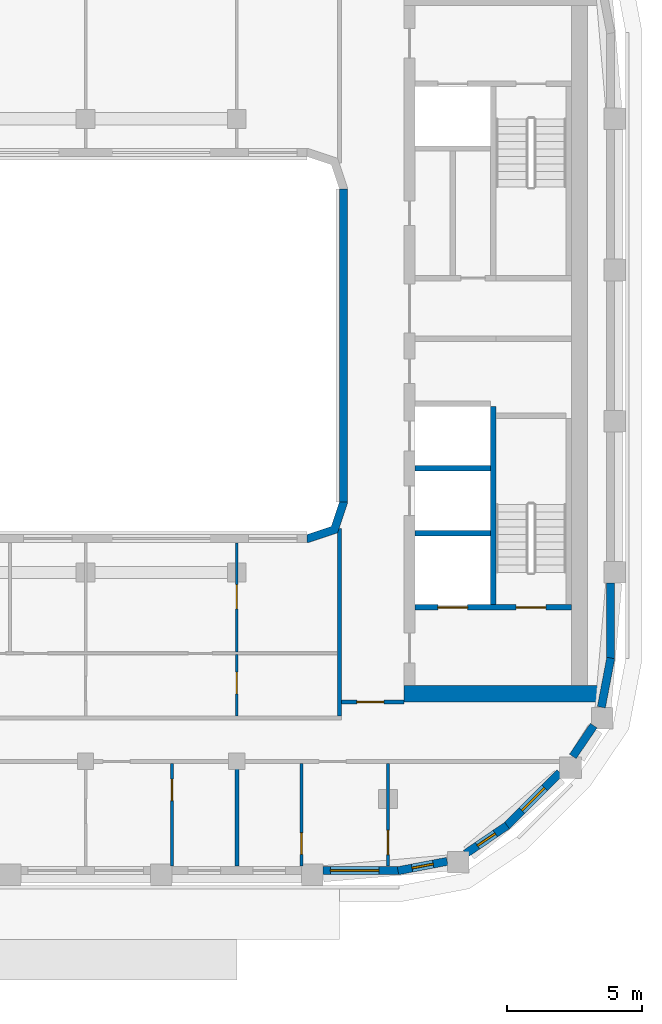
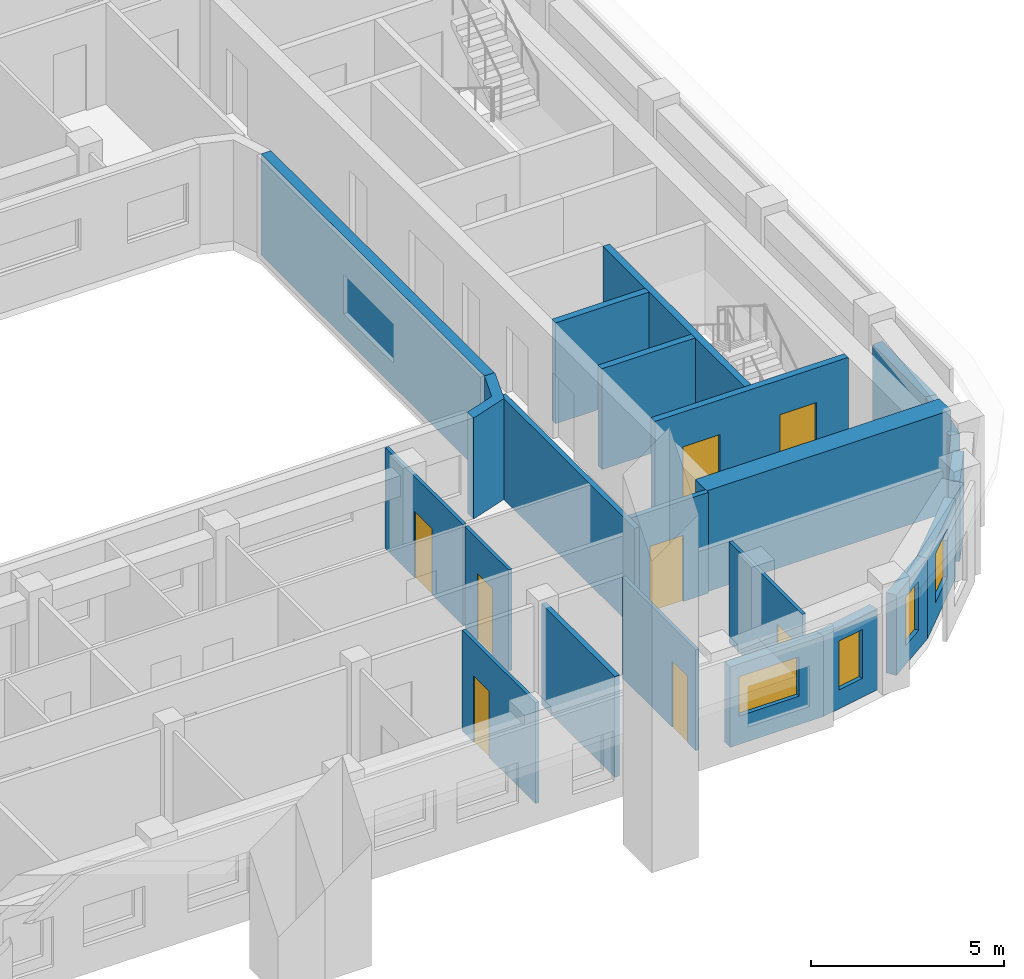
# One storey, part 5 of 18: 22 walls, 8 doors, 4 windows, 12 openings.
"""IFC4 building model written with IfcOpenShell, lengths in metres."""

from ifc_helpers import new_model, si_unit, direction, frame, frame_2d, origin, place, context, subcontext, project, spatial, polyline, rectangle, outline, extrude, material, layer, layer_set, type_object, element, fill, save


model = new_model("IFC4")

# Units and contexts
model_context = context("Model", 3, precision=1e-05, world=origin(), true_north=direction((0.0, 1.0)))
body_context = subcontext(model_context, "Body", "Model", "MODEL_VIEW")
ifc_project = project(units=[si_unit("LENGTHUNIT", "METRE"), si_unit("AREAUNIT", "SQUARE_METRE"), si_unit("VOLUMEUNIT", "CUBIC_METRE"), si_unit("PLANEANGLEUNIT", "RADIAN"), si_unit("MASSUNIT", "GRAM", prefix="KILO")], contexts=[model_context])

# Site, building, storey
site_placement = place(None, origin())
site = spatial("IfcSite", under=ifc_project, at=site_placement, CompositionType="ELEMENT")
building_placement = place(site_placement, origin())
building = spatial("IfcBuilding", under=site, at=building_placement, Name="Kiln Ring Residences", CompositionType="ELEMENT")
storey_placement = place(building_placement, frame((0.0, 0.0, 262.699951171875)))
storey = spatial("IfcBuildingStorey", under=building, at=storey_placement, Name="L68", CompositionType="ELEMENT", Elevation=262.699951171875)

# Walls
ifc_material_1 = material(Name="Gypsum shaft wall system")
ifc_layer_1 = layer(ifc_material_1, 0.199951171875)
ifc_layer_set_1 = layer_set([ifc_layer_1], Name="CORE-SHAFT-WALL-200")
wall_type_1 = type_object("IfcWallType", Name="CORE-SHAFT-WALL-200", PredefinedType="PARTITIONING", material=ifc_layer_set_1)
for number, where, z_axis, x_axis, name in (
    (1, (17.800048828125, -6.949951171875, 0.0), (0.0, 0.0, 1.0), (1.0, 0.0, 0.0), "Core partition east L68 3"),
    (2, (17.800048828125, -4.550048828125, 0.0), (0.0, 0.0, 1.0), (1.0, 0.0, 0.0), "Core partition east L68 4"),
):
    element("IfcWall", number, at=place(storey_placement, frame(where, z_axis=z_axis, x_axis=x_axis)), inside=storey, type_object=wall_type_1, Name=name, PredefinedType="PARTITIONING", context=body_context, shape_type="SweptSolid", body=[
        extrude(rectangle(XDim=2.800048828125, YDim=0.199951171875, at=frame_2d((1.39990234375, 0.0))), origin(), (0.0, 0.0, 1.0), 3.199951171875),
    ])
ifc_material_2 = material(Name="Concrete C40/50", Category="concrete")
ifc_layer_2 = layer(ifc_material_2, 0.199951171875)
ifc_layer_set_2 = layer_set([ifc_layer_2], Name="CORE-WALL-RC200")
wall_type_2 = type_object("IfcWallType", Name="CORE-WALL-RC200", PredefinedType="SHEAR", material=ifc_layer_set_2)
wall_1_placement = place(storey_placement, frame((20.699951171875, -9.60009765625, 0.0), z_axis=(0.0, 0.0, 1.0), x_axis=(0.0, 1.0, 0.0)))
element("IfcWall", 3, at=wall_1_placement, inside=storey, type_object=wall_type_2, Name="Core wall east L68 2", PredefinedType="SHEAR", context=body_context, shape_type="SweptSolid", body=[
    extrude(rectangle(XDim=7.35009765625, YDim=0.199951171875, at=frame_2d((3.675048828125, 0.0))), origin(), (0.0, 0.0, 1.0), 3.199951171875),
])

# Wall, openings, doors
wall_2_placement = place(storey_placement, frame((17.800048828125, -9.699951171875, 0.0), z_axis=(0.0, 0.0, 1.0), x_axis=(1.0, 0.0, 0.0)))
wall_2 = element("IfcWall", 4, at=wall_2_placement, inside=storey, type_object=wall_type_2, Name="Core wall east L68 8", PredefinedType="SHEAR", context=body_context, shape_type="SweptSolid", body=[
    extrude(rectangle(XDim=5.800048828125, YDim=0.199951171875, at=frame_2d((2.89990234375, 0.0))), origin(), (0.0, 0.0, 1.0), 3.199951171875),
])
opening_1_placement = place(wall_2_placement, frame((0.85009765625, 0.0, 0.0)))
opening_1 = element("IfcOpeningElement", 5, at=opening_1_placement, cuts=wall_2, Name="Opening L68-CE01", PredefinedType="OPENING", context=body_context, shape_type="SweptSolid", body=[
    extrude(rectangle(XDim=1.10009765625, YDim=2.10009765625, at=frame_2d((0.550048828125, 1.050048828125))), frame((0.0, 0.10986328125, 0.0), z_axis=(0.0, -1.0, 0.0), x_axis=(1.0, 0.0, 0.0)), (0.0, 0.0, 1.0), 0.219970703125),
])
opening_2_placement = place(wall_2_placement, frame((3.75, 0.0, 0.0)))
opening_2 = element("IfcOpeningElement", 6, at=opening_2_placement, cuts=wall_2, Name="Opening L68-CE11", PredefinedType="OPENING", context=body_context, shape_type="SweptSolid", body=[
    extrude(rectangle(XDim=1.10009765625, YDim=2.10009765625, at=frame_2d((0.550048828125, 1.050048828125))), frame((0.0, 0.10986328125, 0.0), z_axis=(0.0, -1.0, 0.0), x_axis=(1.0, 0.0, 0.0)), (0.0, 0.0, 1.0), 0.219970703125),
])
ifc_material_3 = material(Name="Steel door leaf", Category="steel")
door_type_1 = type_object("IfcDoorType", Name="CORE-DOOR-LD", OperationType="DOUBLE_DOOR_SLIDING", PredefinedType="DOOR", material=ifc_material_3)
door_1_placement = place(opening_1_placement, origin())
door_1 = element("IfcDoor", 7, at=door_1_placement, inside=storey, type_object=door_type_1, Name="LD E-SV L68-CE01", OperationType="DOUBLE_DOOR_SLIDING", OverallHeight=2.10009765625, OverallWidth=1.10009765625, PredefinedType="DOOR", context=body_context, shape_type="SweptSolid", body=[
    extrude(rectangle(XDim=1.10009765625, YDim=2.10009765625, at=frame_2d((0.550048828125, 1.050048828125))), frame((0.0, 0.02490234375, 0.0), z_axis=(0.0, -1.0, 0.0), x_axis=(1.0, 0.0, 0.0)), (0.0, 0.0, 1.0), 0.050048828125),
])
fill(opening_1, door_1)
ifc_material_4 = material(Name="Steel door leaf", Category="steel")
door_type_2 = type_object("IfcDoorType", Name="CORE-DOOR-STAIR", OperationType="SINGLE_SWING_LEFT", PredefinedType="DOOR", material=ifc_material_4)
door_2_placement = place(opening_2_placement, origin())
door_2 = element("IfcDoor", 8, at=door_2_placement, inside=storey, type_object=door_type_2, Name="Stair E-STS L68-CE11", OperationType="SINGLE_SWING_LEFT", OverallHeight=2.10009765625, OverallWidth=1.10009765625, PredefinedType="DOOR", context=body_context, shape_type="SweptSolid", body=[
    extrude(rectangle(XDim=1.10009765625, YDim=2.10009765625, at=frame_2d((0.550048828125, 1.050048828125))), frame((0.0, 0.02490234375, 0.0), z_axis=(0.0, -1.0, 0.0), x_axis=(1.0, 0.0, 0.0)), (0.0, 0.0, 1.0), 0.050048828125),
])
fill(opening_2, door_2)

# Wall
ifc_material_5 = material(Name="Concrete C60/75", Category="concrete")
ifc_layer_3 = layer(ifc_material_5, 0.60009765625)
ifc_layer_set_3 = layer_set([ifc_layer_3], Name="CORE-WALL-RC600")
wall_type_3 = type_object("IfcWallType", Name="CORE-WALL-RC600", PredefinedType="SHEAR", material=ifc_layer_set_3)
wall_3_placement = place(storey_placement, frame((17.39990234375, -12.89990234375, 0.0), z_axis=(0.0, 0.0, 1.0), x_axis=(1.0, 0.0, 0.0)))
element("IfcWall", 9, at=wall_3_placement, inside=storey, type_object=wall_type_3, Name="Core wall east L68 5", PredefinedType="SHEAR", context=body_context, shape_type="SweptSolid", body=[
    extrude(rectangle(XDim=7.320068359375, YDim=0.60009765625, at=frame_2d((3.66015625, 0.0))), origin(), (0.0, 0.0, 1.0), 3.199951171875),
])

# Wall, opening, window
ifc_material_6 = material(Name="Brick masonry, dark clay brick", Category="masonry")
ifc_layer_4 = layer(ifc_material_6, 0.300048828125)
ifc_layer_set_4 = layer_set([ifc_layer_4], Name="EW-300 BRICK WALL")
wall_type_4 = type_object("IfcWallType", Name="EW-300 BRICK WALL", PredefinedType="SOLIDWALL", material=ifc_layer_set_4)
wall_4_placement = place(storey_placement, frame((14.39990234375, -19.449951171875, 0.0), z_axis=(0.0, 0.0, 1.0), x_axis=(1.0, 0.0, 0.0)))
wall_4 = element("IfcWall", 10, at=wall_4_placement, inside=storey, type_object=wall_type_4, Name="Facade wall L68 10", PredefinedType="SOLIDWALL", context=body_context, shape_type="SweptSolid", body=[
    extrude(rectangle(XDim=2.800048828125, YDim=0.300048828125, at=frame_2d((1.39990234375, 0.0))), origin(), (0.0, 0.0, 1.0), 2.550048828125),
])
opening_3_placement = place(wall_4_placement, frame((0.262451171875, 0.0, 0.89990234375)))
opening_3 = element("IfcOpeningElement", 11, at=opening_3_placement, cuts=wall_4, Name="Opening W2", PredefinedType="OPENING", context=body_context, shape_type="SweptSolid", body=[
    extrude(rectangle(XDim=1.800048828125, YDim=1.25, at=frame_2d((0.89990234375, 0.625))), frame((0.0, 0.159912109375, 0.0), z_axis=(0.0, -1.0, 0.0), x_axis=(1.0, 0.0, 0.0)), (0.0, 0.0, 1.0), 0.320068359375),
])
ifc_material_7 = material(Name="Aluminium frame with double glazing", Category="aluminium")
window_type_1 = type_object("IfcWindowType", Name="WINDOW 1800 x 1250", PartitioningType="SINGLE_PANEL", PredefinedType="WINDOW", material=ifc_material_7)
window_1_placement = place(opening_3_placement, origin())
window_1 = element("IfcWindow", 12, at=window_1_placement, inside=storey, type_object=window_type_1, Name="Window L68 14", OverallHeight=1.25, OverallWidth=1.800048828125, PartitioningType="SINGLE_PANEL", PredefinedType="WINDOW", context=body_context, shape_type="SweptSolid", body=[
    extrude(rectangle(XDim=1.800048828125, YDim=1.25, at=frame_2d((0.89990234375, 0.625))), frame((0.0, 0.030029296875, 0.0), z_axis=(0.0, -1.0, 0.0), x_axis=(1.0, 0.0, 0.0)), (0.0, 0.0, 1.0), 0.06005859375),
])
fill(opening_3, window_1)

wall_5_placement = place(storey_placement, frame((17.171875, -19.45263671875, 0.0), z_axis=(0.0, 0.0, 1.0), x_axis=(0.982301706131, 0.187305520826, 0.0)))
wall_5 = element("IfcWall", 13, at=wall_5_placement, inside=storey, type_object=wall_type_4, Name="Facade wall L68 11", PredefinedType="SOLIDWALL", context=body_context, shape_type="SweptSolid", body=[
    extrude(rectangle(XDim=1.856201171875, YDim=0.300048828125, at=frame_2d((0.92822265625, 0.0))), origin(), (0.0, 0.0, 1.0), 2.550048828125),
])
opening_4_placement = place(wall_5_placement, frame((0.528076171875, 0.0, 0.60009765625)))
opening_4 = element("IfcOpeningElement", 14, at=opening_4_placement, cuts=wall_5, Name="Opening W5", PredefinedType="OPENING", context=body_context, shape_type="SweptSolid", body=[
    extrude(rectangle(XDim=0.800048828125, YDim=1.550048828125, at=frame_2d((0.39990234375, 0.77490234375))), frame((0.0, 0.159912109375, 0.0), z_axis=(0.0, -1.0, 0.0), x_axis=(1.0, 0.0, 0.0)), (0.0, 0.0, 1.0), 0.320068359375),
])
ifc_material_8 = material(Name="Aluminium frame with double glazing", Category="aluminium")
window_type_2 = type_object("IfcWindowType", Name="WINDOW 800 x 1550", PartitioningType="SINGLE_PANEL", PredefinedType="WINDOW", material=ifc_material_8)
window_2_placement = place(opening_4_placement, origin())
window_2 = element("IfcWindow", 15, at=window_2_placement, inside=storey, type_object=window_type_2, Name="Window L68 15", OverallHeight=1.550048828125, OverallWidth=0.800048828125, PartitioningType="SINGLE_PANEL", PredefinedType="WINDOW", context=body_context, shape_type="SweptSolid", body=[
    extrude(rectangle(XDim=0.800048828125, YDim=1.550048828125, at=frame_2d((0.39990234375, 0.77490234375))), frame((0.0, 0.030029296875, 0.0), z_axis=(0.0, -1.0, 0.0), x_axis=(1.0, 0.0, 0.0)), (0.0, 0.0, 1.0), 0.06005859375),
])
fill(opening_4, window_2)

wall_6_placement = place(storey_placement, frame((19.677734375, -18.822265625, 0.0), z_axis=(0.0, 0.0, 1.0), x_axis=(0.826997446962, 0.562205676526, 0.0)))
wall_6 = element("IfcWall", 16, at=wall_6_placement, inside=storey, type_object=wall_type_4, Name="Facade wall L68 12", PredefinedType="SOLIDWALL", context=body_context, shape_type="SweptSolid", body=[
    extrude(rectangle(XDim=1.85595703125, YDim=0.300048828125, at=frame_2d((0.927978515625, 0.0))), origin(), (0.0, 0.0, 1.0), 2.550048828125),
])
opening_5_placement = place(wall_6_placement, frame((0.528076171875, 0.0, 0.60009765625)))
opening_5 = element("IfcOpeningElement", 17, at=opening_5_placement, cuts=wall_6, Name="Opening W5", PredefinedType="OPENING", context=body_context, shape_type="SweptSolid", body=[
    extrude(rectangle(XDim=0.800048828125, YDim=1.550048828125, at=frame_2d((0.39990234375, 0.77490234375))), frame((0.0, 0.159912109375, 0.0), z_axis=(0.0, -1.0, 0.0), x_axis=(1.0, 0.0, 0.0)), (0.0, 0.0, 1.0), 0.320068359375),
])
window_3_placement = place(opening_5_placement, origin())
window_3 = element("IfcWindow", 18, at=window_3_placement, inside=storey, type_object=window_type_2, Name="Window L68 16", OverallHeight=1.550048828125, OverallWidth=0.800048828125, PartitioningType="SINGLE_PANEL", PredefinedType="WINDOW", context=body_context, shape_type="SweptSolid", body=[
    extrude(rectangle(XDim=0.800048828125, YDim=1.550048828125, at=frame_2d((0.39990234375, 0.77490234375))), frame((0.0, 0.030029296875, 0.0), z_axis=(0.0, -1.0, 0.0), x_axis=(1.0, 0.0, 0.0)), (0.0, 0.0, 1.0), 0.06005859375),
])
fill(opening_5, window_3)

wall_7_placement = place(storey_placement, frame((21.19091796875, -17.796875, 0.0), z_axis=(0.0, 0.0, 1.0), x_axis=(0.707106781187, 0.707106781187, 0.0)))
wall_7 = element("IfcWall", 19, at=wall_7_placement, inside=storey, type_object=wall_type_4, Name="Facade wall L68 13", PredefinedType="SOLIDWALL", context=body_context, shape_type="SweptSolid", body=[
    extrude(rectangle(XDim=2.800048828125, YDim=0.300048828125, at=frame_2d((1.39990234375, 0.0))), origin(), (0.0, 0.0, 1.0), 2.550048828125),
])
opening_6_placement = place(wall_7_placement, frame((0.800048828125, 0.0, 0.60009765625)))
opening_6 = element("IfcOpeningElement", 20, at=opening_6_placement, cuts=wall_7, Name="Opening W1", PredefinedType="OPENING", context=body_context, shape_type="SweptSolid", body=[
    extrude(rectangle(XDim=1.199951171875, YDim=1.550048828125, at=frame_2d((0.60009765625, 0.77490234375))), frame((0.0, 0.159912109375, 0.0), z_axis=(0.0, -1.0, 0.0), x_axis=(1.0, 0.0, 0.0)), (0.0, 0.0, 1.0), 0.320068359375),
])
ifc_material_9 = material(Name="Aluminium frame with double glazing", Category="aluminium")
window_type_3 = type_object("IfcWindowType", Name="WINDOW 1200 x 1550", PartitioningType="SINGLE_PANEL", PredefinedType="WINDOW", material=ifc_material_9)
window_4_placement = place(opening_6_placement, origin())
window_4 = element("IfcWindow", 21, at=window_4_placement, inside=storey, type_object=window_type_3, Name="Window L68 17", OverallHeight=1.550048828125, OverallWidth=1.199951171875, PartitioningType="SINGLE_PANEL", PredefinedType="WINDOW", context=body_context, shape_type="SweptSolid", body=[
    extrude(rectangle(XDim=1.199951171875, YDim=1.550048828125, at=frame_2d((0.60009765625, 0.77490234375))), frame((0.0, 0.030029296875, 0.0), z_axis=(0.0, -1.0, 0.0), x_axis=(1.0, 0.0, 0.0)), (0.0, 0.0, 1.0), 0.06005859375),
])
fill(opening_6, window_4)

# Walls
wall_8_placement = place(storey_placement, frame((23.648193359375, -15.216552734375, 0.0), z_axis=(0.0, 0.0, 1.0), x_axis=(0.562043265151, 0.827107833416, 0.0)))
element("IfcWall", 22, at=wall_8_placement, inside=storey, type_object=wall_type_4, Name="Facade wall L68 14", PredefinedType="SOLIDWALL", context=body_context, shape_type="SweptSolid", body=[
    extrude(rectangle(XDim=1.376953125, YDim=0.300048828125, at=frame_2d((0.6884765625, 0.0))), origin(), (0.0, 0.0, 1.0), 2.550048828125),
])
wall_9_placement = place(storey_placement, frame((24.704833984375, -13.395263671875, 0.0), z_axis=(0.0, 0.0, 1.0), x_axis=(0.187408222942, 0.982282117303, 0.0)))
element("IfcWall", 23, at=wall_9_placement, inside=storey, type_object=wall_type_4, Name="Facade wall L68 15", PredefinedType="SOLIDWALL", context=body_context, shape_type="SweptSolid", body=[
    extrude(rectangle(XDim=1.8564453125, YDim=0.300048828125, at=frame_2d((0.92822265625, 0.0))), origin(), (0.0, 0.0, 1.0), 2.550048828125),
])
wall_10_placement = place(storey_placement, frame((25.050048828125, -11.60009765625, 0.0), z_axis=(0.0, 0.0, 1.0), x_axis=(0.0, 1.0, 0.0)))
element("IfcWall", 24, at=wall_10_placement, inside=storey, type_object=wall_type_4, Name="Facade wall L68 16", PredefinedType="SOLIDWALL", context=body_context, shape_type="SweptSolid", body=[
    extrude(rectangle(XDim=2.800048828125, YDim=0.300048828125, at=frame_2d((1.39990234375, 0.0))), origin(), (0.0, 0.0, 1.0), 2.550048828125),
])
wall_11_placement = place(storey_placement, frame((15.14990234375, 5.800048828125, 0.0), z_axis=(0.0, 0.0, 1.0), x_axis=(0.0, -1.0, 0.0)))
element("IfcWall", 25, at=wall_11_placement, inside=storey, type_object=wall_type_4, Name="Facade wall L68 47", PredefinedType="SOLIDWALL", context=body_context, shape_type="SweptSolid", body=[
    extrude(rectangle(XDim=11.60009765625, YDim=0.300048828125, at=frame_2d((5.800048828125, 0.0))), origin(), (0.0, 0.0, 1.0), 3.199951171875),
])
wall_12_placement = place(storey_placement, origin())
element("IfcWall", 26, at=wall_12_placement, inside=storey, type_object=wall_type_4, Name="Corner wall L68 3", PredefinedType="SOLIDWALL", context=body_context, shape_type="SweptSolid", body=[
    extrude(outline(polyline([(14.937255859375, -6.937255859375), (15.300048828125, -5.8486328125), (15.300048828125, -5.800048828125), (15.0, -5.800048828125), (14.699951171875, -6.699951171875), (13.800048828125, -7.0), (13.800048828125, -7.300048828125), (13.8486328125, -7.300048828125), (14.937255859375, -6.937255859375)])), origin(), (0.0, 0.0, 1.0), 3.199951171875),
])

# Wall, opening, door
ifc_material_10 = material(Name="Gypsum board on steel studs", Category="steel")
ifc_layer_5 = layer(ifc_material_10, 0.10009765625)
ifc_layer_set_5 = layer_set([ifc_layer_5], Name="PARTITION-100")
wall_type_5 = type_object("IfcWallType", Name="PARTITION-100", PredefinedType="PARTITIONING", material=ifc_layer_set_5)
wall_13_placement = place(storey_placement, frame((8.800048828125, -19.280029296875, 0.0), z_axis=(0.0, 0.0, 1.0), x_axis=(0.0, 1.0, 0.0)))
wall_13 = element("IfcWall", 27, at=wall_13_placement, inside=storey, type_object=wall_type_5, Name="Partition 039", PredefinedType="PARTITIONING", context=body_context, shape_type="SweptSolid", body=[
    extrude(rectangle(XDim=3.804931640625, YDim=0.10009765625, at=frame_2d((1.90234375, 0.0))), origin(), (0.0, 0.0, 1.0), 3.199951171875),
])
opening_7_placement = place(wall_13_placement, frame((2.419921875, 0.0, 0.0)))
opening_7 = element("IfcOpeningElement", 28, at=opening_7_placement, cuts=wall_13, Name="Opening L68-D042", PredefinedType="OPENING", context=body_context, shape_type="SweptSolid", body=[
    extrude(rectangle(XDim=0.800048828125, YDim=2.10009765625, at=frame_2d((0.39990234375, 1.050048828125))), frame((0.0, 0.06005859375, 0.0), z_axis=(0.0, -1.0, 0.0), x_axis=(1.0, 0.0, 0.0)), (0.0, 0.0, 1.0), 0.1201171875),
])
ifc_material_11 = material(Name="Timber door leaf", Category="wood")
door_type_3 = type_object("IfcDoorType", Name="FLAT-DOOR-800-PL", OperationType="SINGLE_SWING_LEFT", PredefinedType="DOOR", material=ifc_material_11)
door_3_placement = place(opening_7_placement, origin())
door_3 = element("IfcDoor", 29, at=door_3_placement, inside=storey, type_object=door_type_3, Name="Door L68-D042", OperationType="SINGLE_SWING_RIGHT", OverallHeight=2.10009765625, OverallWidth=0.800048828125, PredefinedType="DOOR", context=body_context, shape_type="SweptSolid", body=[
    extrude(rectangle(XDim=0.800048828125, YDim=2.10009765625, at=frame_2d((0.39990234375, 1.050048828125))), frame((0.0, 0.02490234375, 0.0), z_axis=(0.0, -1.0, 0.0), x_axis=(1.0, 0.0, 0.0)), (0.0, 0.0, 1.0), 0.050048828125),
])
fill(opening_7, door_3)

wall_14_placement = place(storey_placement, frame((11.199951171875, -13.72509765625, 0.0), z_axis=(0.0, 0.0, 1.0), x_axis=(0.0, 1.0, 0.0)))
wall_14 = element("IfcWall", 30, at=wall_14_placement, inside=storey, type_object=wall_type_5, Name="Partition 040", PredefinedType="PARTITIONING", context=body_context, shape_type="SweptSolid", body=[
    extrude(rectangle(XDim=2.275146484375, YDim=0.10009765625, at=frame_2d((1.1376953125, 0.0))), origin(), (0.0, 0.0, 1.0), 3.199951171875),
])
opening_8_placement = place(wall_14_placement, frame((0.825927734375, 0.0, 0.0)))
opening_8 = element("IfcOpeningElement", 31, at=opening_8_placement, cuts=wall_14, Name="Opening L68-D032", PredefinedType="OPENING", context=body_context, shape_type="SweptSolid", body=[
    extrude(rectangle(XDim=0.800048828125, YDim=2.10009765625, at=frame_2d((0.39990234375, 1.050048828125))), frame((0.0, 0.06005859375, 0.0), z_axis=(0.0, -1.0, 0.0), x_axis=(1.0, 0.0, 0.0)), (0.0, 0.0, 1.0), 0.1201171875),
])
door_4_placement = place(opening_8_placement, origin())
door_4 = element("IfcDoor", 32, at=door_4_placement, inside=storey, type_object=door_type_3, Name="Door L68-D032", OperationType="SINGLE_SWING_RIGHT", OverallHeight=2.10009765625, OverallWidth=0.800048828125, PredefinedType="DOOR", context=body_context, shape_type="SweptSolid", body=[
    extrude(rectangle(XDim=0.800048828125, YDim=2.10009765625, at=frame_2d((0.39990234375, 1.050048828125))), frame((0.0, 0.02490234375, 0.0), z_axis=(0.0, -1.0, 0.0), x_axis=(1.0, 0.0, 0.0)), (0.0, 0.0, 1.0), 0.050048828125),
])
fill(opening_8, door_4)

wall_15_placement = place(storey_placement, frame((11.199951171875, -11.35009765625, 0.0), z_axis=(0.0, 0.0, 1.0), x_axis=(0.0, 1.0, 0.0)))
wall_15 = element("IfcWall", 33, at=wall_15_placement, inside=storey, type_object=wall_type_5, Name="Partition 041", PredefinedType="PARTITIONING", context=body_context, shape_type="SweptSolid", body=[
    extrude(rectangle(XDim=4.030029296875, YDim=0.10009765625, at=frame_2d((2.01513671875, 0.0))), origin(), (0.0, 0.0, 1.0), 3.199951171875),
])
opening_9_placement = place(wall_15_placement, frame((1.60009765625, 0.0, 0.0)))
opening_9 = element("IfcOpeningElement", 34, at=opening_9_placement, cuts=wall_15, Name="Opening L68-D036", PredefinedType="OPENING", context=body_context, shape_type="SweptSolid", body=[
    extrude(rectangle(XDim=0.89990234375, YDim=2.10009765625, at=frame_2d((0.449951171875, 1.050048828125))), frame((0.0, 0.06005859375, 0.0), z_axis=(0.0, -1.0, 0.0), x_axis=(1.0, 0.0, 0.0)), (0.0, 0.0, 1.0), 0.1201171875),
])
ifc_material_12 = material(Name="Timber door leaf", Category="wood")
door_type_4 = type_object("IfcDoorType", Name="FLAT-DOOR-900-PL", OperationType="SINGLE_SWING_LEFT", PredefinedType="DOOR", material=ifc_material_12)
door_5_placement = place(opening_9_placement, origin())
door_5 = element("IfcDoor", 35, at=door_5_placement, inside=storey, type_object=door_type_4, Name="Door L68-D036", OperationType="SINGLE_SWING_RIGHT", OverallHeight=2.10009765625, OverallWidth=0.89990234375, PredefinedType="DOOR", context=body_context, shape_type="SweptSolid", body=[
    extrude(rectangle(XDim=0.89990234375, YDim=2.10009765625, at=frame_2d((0.449951171875, 1.050048828125))), frame((0.0, 0.02490234375, 0.0), z_axis=(0.0, -1.0, 0.0), x_axis=(1.0, 0.0, 0.0)), (0.0, 0.0, 1.0), 0.050048828125),
])
fill(opening_9, door_5)

wall_16_placement = place(storey_placement, frame((13.60009765625, -19.280029296875, 0.0), z_axis=(0.0, 0.0, 1.0), x_axis=(0.0, 1.0, 0.0)))
wall_16 = element("IfcWall", 36, at=wall_16_placement, inside=storey, type_object=wall_type_5, Name="Partition 045", PredefinedType="PARTITIONING", context=body_context, shape_type="SweptSolid", body=[
    extrude(rectangle(XDim=3.804931640625, YDim=0.10009765625, at=frame_2d((1.90234375, 0.0))), origin(), (0.0, 0.0, 1.0), 3.199951171875),
])
opening_10_placement = place(wall_16_placement, frame((0.428955078125, 0.0, 0.0)))
opening_10 = element("IfcOpeningElement", 37, at=opening_10_placement, cuts=wall_16, Name="Opening L68-D046", PredefinedType="OPENING", context=body_context, shape_type="SweptSolid", body=[
    extrude(rectangle(XDim=0.800048828125, YDim=2.10009765625, at=frame_2d((0.39990234375, 1.050048828125))), frame((0.0, 0.06005859375, 0.0), z_axis=(0.0, -1.0, 0.0), x_axis=(1.0, 0.0, 0.0)), (0.0, 0.0, 1.0), 0.1201171875),
])
door_6_placement = place(opening_10_placement, origin())
door_6 = element("IfcDoor", 38, at=door_6_placement, inside=storey, type_object=door_type_3, Name="Door L68-D046", OperationType="SINGLE_SWING_RIGHT", OverallHeight=2.10009765625, OverallWidth=0.800048828125, PredefinedType="DOOR", context=body_context, shape_type="SweptSolid", body=[
    extrude(rectangle(XDim=0.800048828125, YDim=2.10009765625, at=frame_2d((0.39990234375, 1.050048828125))), frame((0.0, 0.02490234375, 0.0), z_axis=(0.0, -1.0, 0.0), x_axis=(1.0, 0.0, 0.0)), (0.0, 0.0, 1.0), 0.050048828125),
])
fill(opening_10, door_6)

wall_17_placement = place(storey_placement, frame((16.800048828125, -19.280029296875, 0.0), z_axis=(0.0, 0.0, 1.0), x_axis=(0.0, 1.0, 0.0)))
wall_17 = element("IfcWall", 39, at=wall_17_placement, inside=storey, type_object=wall_type_5, Name="Partition 049", PredefinedType="PARTITIONING", context=body_context, shape_type="SweptSolid", body=[
    extrude(rectangle(XDim=3.804931640625, YDim=0.10009765625, at=frame_2d((1.90234375, 0.0))), origin(), (0.0, 0.0, 1.0), 3.199951171875),
])
opening_11_placement = place(wall_17_placement, frame((0.419921875, 0.0, 0.0)))
opening_11 = element("IfcOpeningElement", 40, at=opening_11_placement, cuts=wall_17, Name="Opening L68-D047", PredefinedType="OPENING", context=body_context, shape_type="SweptSolid", body=[
    extrude(rectangle(XDim=0.89990234375, YDim=2.10009765625, at=frame_2d((0.449951171875, 1.050048828125))), frame((0.0, 0.06005859375, 0.0), z_axis=(0.0, -1.0, 0.0), x_axis=(1.0, 0.0, 0.0)), (0.0, 0.0, 1.0), 0.1201171875),
])
door_7_placement = place(opening_11_placement, origin())
door_7 = element("IfcDoor", 41, at=door_7_placement, inside=storey, type_object=door_type_4, Name="Door L68-D047", OperationType="SINGLE_SWING_LEFT", OverallHeight=2.10009765625, OverallWidth=0.89990234375, PredefinedType="DOOR", context=body_context, shape_type="SweptSolid", body=[
    extrude(rectangle(XDim=0.89990234375, YDim=2.10009765625, at=frame_2d((0.449951171875, 1.050048828125))), frame((0.0, 0.02490234375, 0.0), z_axis=(0.0, -1.0, 0.0), x_axis=(1.0, 0.0, 0.0)), (0.0, 0.0, 1.0), 0.050048828125),
])
fill(opening_11, door_7)

ifc_material_13 = material(Name="Brick masonry partition", Category="masonry")
ifc_layer_6 = layer(ifc_material_13, 0.14990234375)
ifc_layer_set_6 = layer_set([ifc_layer_6], Name="PARTITION-150-ei60")
wall_type_6 = type_object("IfcWallType", Name="PARTITION-150-ei60", PredefinedType="PARTITIONING", material=ifc_layer_set_6)
wall_18_placement = place(storey_placement, frame((15.074951171875, -13.199951171875, 0.0), z_axis=(0.0, 0.0, 1.0), x_axis=(1.0, 0.0, 0.0)))
wall_18 = element("IfcWall", 42, at=wall_18_placement, inside=storey, type_object=wall_type_6, Name="Partition 003", PredefinedType="PARTITIONING", context=body_context, shape_type="SweptSolid", body=[
    extrude(rectangle(XDim=2.324951171875, YDim=0.14990234375, at=frame_2d((1.16259765625, 0.0))), origin(), (0.0, 0.0, 1.0), 3.199951171875),
])
opening_12_placement = place(wall_18_placement, frame((0.574951171875, 0.0, 0.0)))
opening_12 = element("IfcOpeningElement", 43, at=opening_12_placement, cuts=wall_18, Name="Opening L68-D004", PredefinedType="OPENING", context=body_context, shape_type="SweptSolid", body=[
    extrude(rectangle(XDim=1.0, YDim=2.10009765625, at=frame_2d((0.5, 1.050048828125))), frame((0.0, 0.0849609375, 0.0), z_axis=(0.0, -1.0, 0.0), x_axis=(1.0, 0.0, 0.0)), (0.0, 0.0, 1.0), 0.169921875),
])
ifc_material_14 = material(Name="Steel faced fire door leaf", Category="steel")
door_type_5 = type_object("IfcDoorType", Name="FLAT-DOOR-1000-FR", OperationType="SINGLE_SWING_LEFT", PredefinedType="DOOR", material=ifc_material_14)
door_8_placement = place(opening_12_placement, origin())
door_8 = element("IfcDoor", 44, at=door_8_placement, inside=storey, type_object=door_type_5, Name="Door L68-D004", OperationType="SINGLE_SWING_LEFT", OverallHeight=2.10009765625, OverallWidth=1.0, PredefinedType="DOOR", context=body_context, shape_type="SweptSolid", body=[
    extrude(rectangle(XDim=1.0, YDim=2.10009765625, at=frame_2d((0.5, 1.050048828125))), frame((0.0, 0.02490234375, 0.0), z_axis=(0.0, -1.0, 0.0), x_axis=(1.0, 0.0, 0.0)), (0.0, 0.0, 1.0), 0.050048828125),
])
fill(opening_12, door_8)

# Walls
wall_19_placement = place(storey_placement, frame((11.199951171875, -19.280029296875, 0.0), z_axis=(0.0, 0.0, 1.0), x_axis=(0.0, 1.0, 0.0)))
element("IfcWall", 45, at=wall_19_placement, inside=storey, type_object=wall_type_6, Name="Partition 043", PredefinedType="PARTITIONING", context=body_context, shape_type="SweptSolid", body=[
    extrude(rectangle(XDim=3.804931640625, YDim=0.14990234375, at=frame_2d((1.90234375, 0.0))), origin(), (0.0, 0.0, 1.0), 3.199951171875),
])
wall_20_placement = place(storey_placement, frame((15.0, -13.72509765625, 0.0), z_axis=(0.0, 0.0, 1.0), x_axis=(0.0, 1.0, 0.0)))
element("IfcWall", 46, at=wall_20_placement, inside=storey, type_object=wall_type_6, Name="Partition 047", PredefinedType="PARTITIONING", context=body_context, shape_type="SweptSolid", body=[
    extrude(rectangle(XDim=6.956298828125, YDim=0.14990234375, at=frame_2d((3.47802734375, 0.0))), origin(), (0.0, 0.0, 1.0), 3.199951171875),
])

save(model, "model.ifc")
